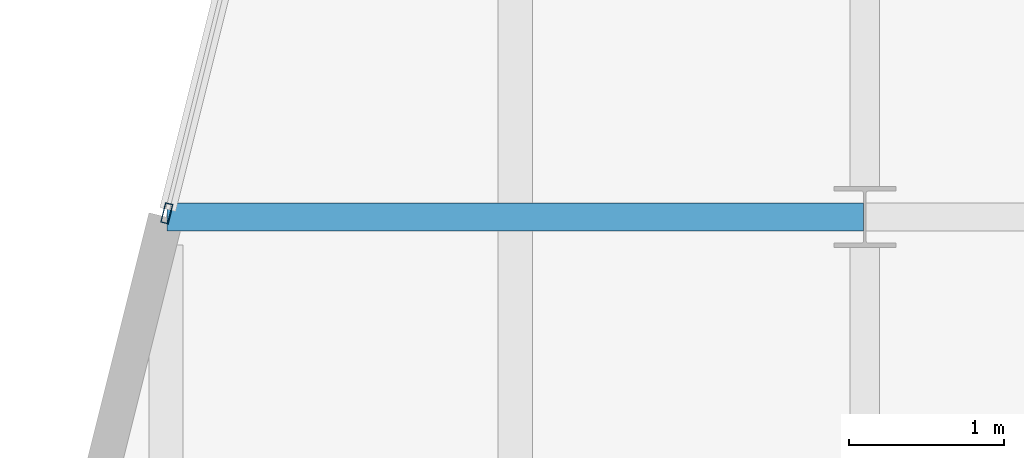
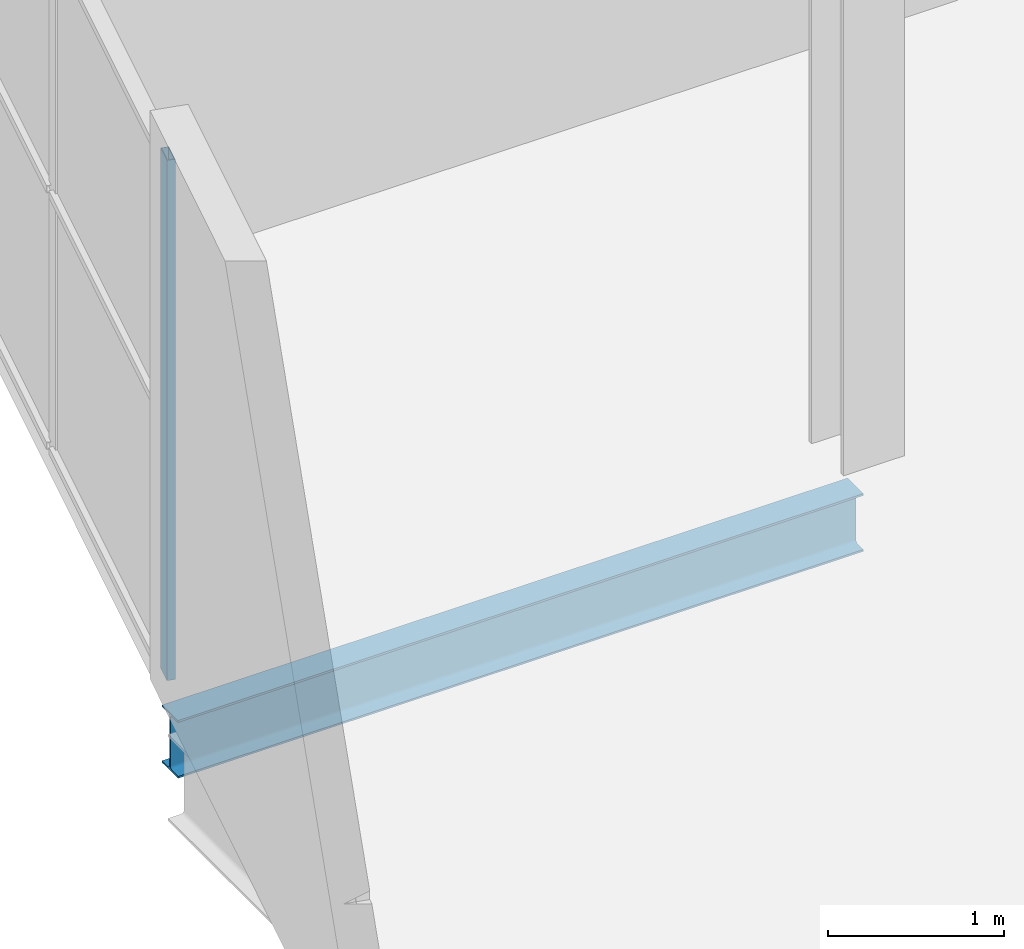
# One storey, part 51 of 132: 1 beam, 1 member, 1 element without a shape of its own.
"""IFC4 building model written with IfcOpenShell, lengths in metres."""

from ifc_helpers import new_model, si_unit, direction, frame, origin, origin_2d, place, context, subcontext, project, spatial, hollow_rectangle, i_section, extrude, material, layer, layer_set, material_profile, profile_set, type_object, element, aggregate, save


model = new_model("IFC4")

# Units and contexts
model_context = context("Model", 3, precision=1e-05, world=origin(), true_north=direction((0.0, 1.0)))
body_context = subcontext(model_context, "Body", "Model", "MODEL_VIEW")
ifc_project = project(units=[si_unit("LENGTHUNIT", "METRE"), si_unit("AREAUNIT", "SQUARE_METRE"), si_unit("VOLUMEUNIT", "CUBIC_METRE"), si_unit("PLANEANGLEUNIT", "RADIAN"), si_unit("MASSUNIT", "GRAM", prefix="KILO")], contexts=[model_context])

# Site, building, storey
site_placement = place(None, origin())
site = spatial("IfcSite", under=ifc_project, at=site_placement, CompositionType="ELEMENT")
building_placement = place(site_placement, origin())
building = spatial("IfcBuilding", under=site, at=building_placement, Name="Deido Ridge Mobility Hub", CompositionType="ELEMENT")
storey_placement = place(building_placement, frame((0.0, 0.0, 8.39990234375)))
storey = spatial("IfcBuildingStorey", under=building, at=storey_placement, Name="L02", CompositionType="ELEMENT", Elevation=8.39990234375)

# Beam
ifc_material_1 = material(Name="Steel S355J2 EN 10025-2", Category="steel")
ifc_material_profile_1 = material_profile(ifc_material_1, i_section(OverallWidth=0.179931640625, OverallDepth=0.39990234375, WebThickness=0.008544921875, FlangeThickness=0.013427734375, FilletRadius=0.02099609375, at=origin_2d()), Name="IPE 400")
ifc_profile_set_1 = profile_set([ifc_material_profile_1], Name="Steel S355J2 EN 10025-2")
beam_type = type_object("IfcBeamType", Name="BM-IPE400", PredefinedType="BEAM", material=ifc_profile_set_1)
beam_placement = place(storey_placement, frame((121.506103515625, 18.0, -0.454833984375), z_axis=(1.0, 0.0, 0.0), x_axis=(0.0, 1.0, 0.0)))
element("IfcBeam", 1, at=beam_placement, inside=storey, type_object=beam_type, Name="Floor beam B5", PredefinedType="BEAM", context=body_context, shape_type="SweptSolid", body=[
    extrude(i_section(OverallWidth=0.179931640625, OverallDepth=0.39990234375, WebThickness=0.008544921875, FlangeThickness=0.013427734375, FilletRadius=0.02099609375, at=origin_2d()), origin(), (0.0, 0.0, 1.0), 4.485107421875),
])

# Curtain wall, member
ifc_material_2 = material(Name="Anodised aluminium EN AW-6063 T6", Category="aluminium")
ifc_layer = layer(ifc_material_2, 0.179931640625, Name="Anodised aluminium EN AW-6063 T6")
ifc_layer_set = layer_set([ifc_layer], Name="Anodised aluminium EN AW-6063 T6")
curtain_wall_type = type_object("IfcCurtainWallType", Name="CW-UF-2", PredefinedType="USERDEFINED", material=ifc_layer_set)
curtain_wall_placement = place(storey_placement, origin())
curtain_wall = element("IfcCurtainWall", 2, at=curtain_wall_placement, inside=storey, type_object=curtain_wall_type, Name="Unitised curtain wall CW2", ObjectType="UNITISED FACADE", PredefinedType="USERDEFINED")
ifc_material_profile_2 = material_profile(ifc_material_2, hollow_rectangle(XDim=0.050048828125, YDim=0.1298828125, WallThickness=0.00390625, at=origin_2d()), Name="RHS 50x130x4")
ifc_profile_set_2 = profile_set([ifc_material_profile_2], Name="Anodised aluminium EN AW-6063 T6")
member_type = type_object("IfcMemberType", Name="MEM-MUL-50X130", PredefinedType="MULLION", material=ifc_profile_set_2)
member_placement = place(storey_placement, frame((121.506103515625, 18.024169921875, 0.0), z_axis=(0.0, 0.0, 1.0), x_axis=(-0.970142500145, 0.242535625038, 0.0)))
member = element("IfcMember", 3, at=member_placement, type_object=member_type, Name="CW2 mullion 1", PredefinedType="MULLION", context=body_context, shape_type="SweptSolid", body=[
    extrude(hollow_rectangle(XDim=0.050048828125, YDim=0.1298828125, WallThickness=0.00390625, at=origin_2d()), origin(), (0.0, 0.0, 1.0), 3.60009765625),
])
aggregate(curtain_wall, [member])

save(model, "model.ifc")
